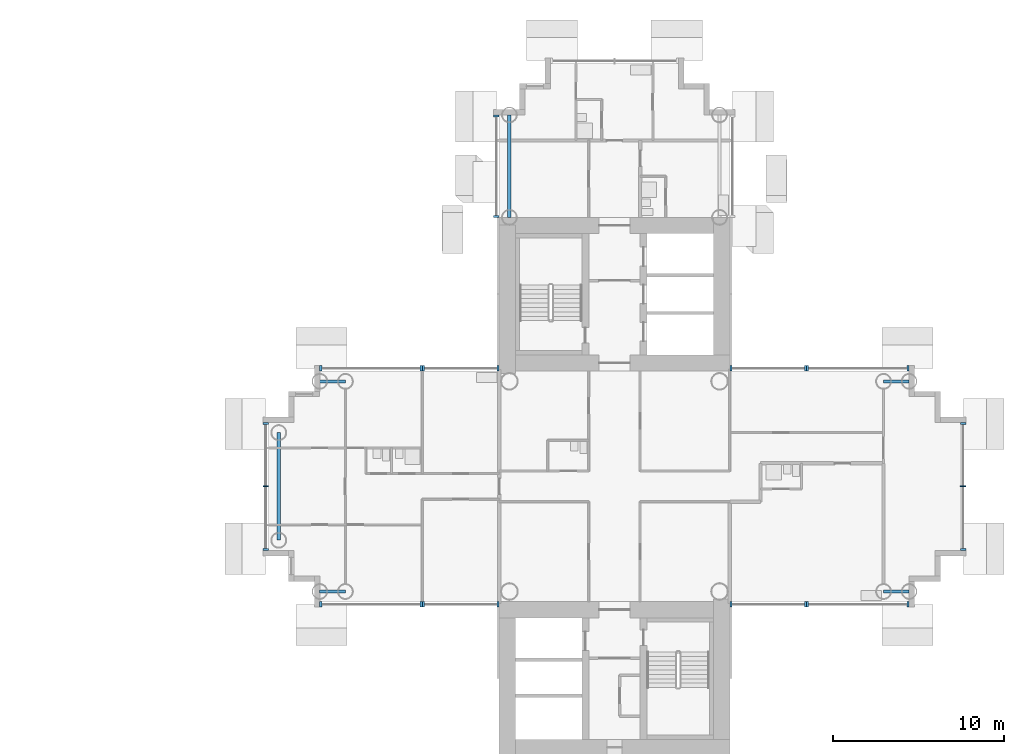
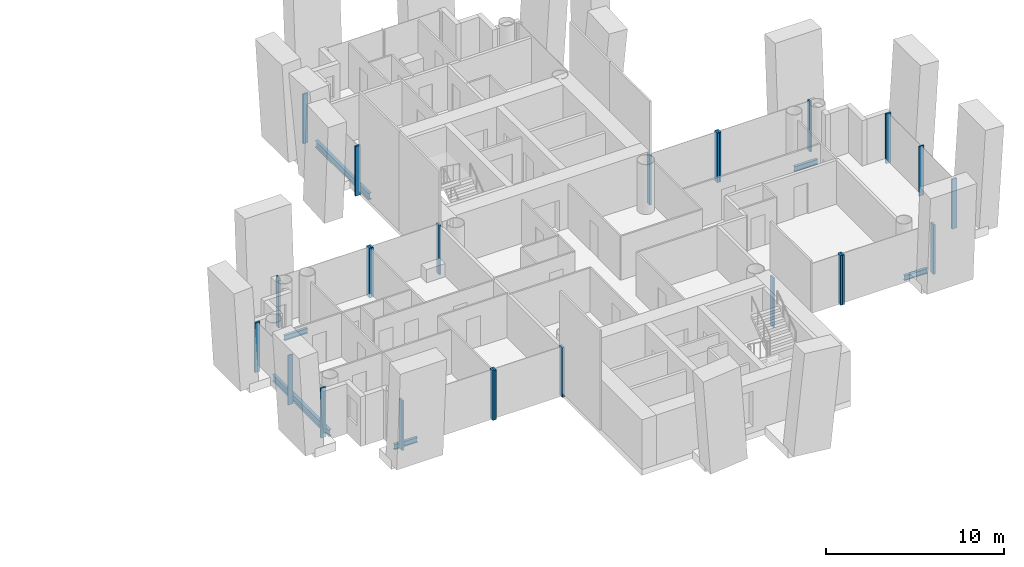
# One storey, part 5 of 21: 24 members, 6 beams, 11 elements without a shape of their own.
"""IFC4 building model written with IfcOpenShell, lengths in metres."""

from ifc_helpers import new_model, si_unit, direction, frame, origin, origin_2d, place, context, subcontext, project, spatial, rectangle, i_section, extrude, material, layer, layer_set, material_profile, profile_set, type_object, element, aggregate, save


model = new_model("IFC4")

# Units and contexts
model_context = context("Model", 3, precision=1e-05, world=origin(), true_north=direction((0.0, 1.0)))
body_context = subcontext(model_context, "Body", "Model", "MODEL_VIEW")
ifc_project = project(units=[si_unit("LENGTHUNIT", "METRE"), si_unit("AREAUNIT", "SQUARE_METRE"), si_unit("VOLUMEUNIT", "CUBIC_METRE"), si_unit("PLANEANGLEUNIT", "RADIAN"), si_unit("MASSUNIT", "GRAM", prefix="KILO")], contexts=[model_context])

# Site, building, storey
site_placement = place(None, origin())
site = spatial("IfcSite", under=ifc_project, at=site_placement, CompositionType="ELEMENT")
building_placement = place(site_placement, origin())
building = spatial("IfcBuilding", under=site, at=building_placement, Name="Ipe Terrace Towers", CompositionType="ELEMENT")
storey_placement = place(building_placement, frame((0.0, 0.0, 114.0)))
storey = spatial("IfcBuildingStorey", under=building, at=storey_placement, Name="L31", CompositionType="ELEMENT", Elevation=114.0)

# Beams
ifc_material_1 = material(Name="Steel S355", Category="steel")
ifc_material_profile_1 = material_profile(ifc_material_1, i_section(OverallWidth=0.175048828125, OverallDepth=0.35009765625, WebThickness=0.007080078125, FlangeThickness=0.010986328125, at=origin_2d()), Name="H-350x175x7x11")
ifc_profile_set_1 = profile_set([ifc_material_profile_1], Name="Steel S355")
beam_type_1 = type_object("IfcBeamType", Name="H04 EDGE BEAM H-350x175x7x11", PredefinedType="BEAM", material=ifc_profile_set_1)
for number, where, z_axis, x_axis, name in (
    (1, (20.25, 6.14990234375, -0.574951171875), (-1.0, 0.0, 0.0), (0.0, -1.0, 0.0), "Edge beam T2-EB-B03-B05"),
    (2, (20.25, -6.14990234375, -0.574951171875), (-1.0, 0.0, 0.0), (0.0, -1.0, 0.0), "Edge beam T2-EB-B04-B06"),
    (3, (51.75, -6.14990234375, -0.574951171875), (1.0, 0.0, 0.0), (0.0, 1.0, 0.0), "Edge beam T2-EB-D03-D05"),
    (4, (51.75, 6.14990234375, -0.574951171875), (1.0, 0.0, 0.0), (0.0, 1.0, 0.0), "Edge beam T2-EB-D04-D06"),
):
    element("IfcBeam", number, at=place(storey_placement, frame(where, z_axis=z_axis, x_axis=x_axis)), inside=storey, type_object=beam_type_1, Name=name, PredefinedType="BEAM", context=body_context, shape_type="SweptSolid", body=[
        extrude(i_section(OverallWidth=0.175048828125, OverallDepth=0.35009765625, WebThickness=0.007080078125, FlangeThickness=0.010986328125, at=origin_2d()), origin(), (0.0, 0.0, 1.0), 1.5),
    ])
ifc_material_2 = material(Name="Steel S355", Category="steel")
ifc_material_profile_2 = material_profile(ifc_material_2, i_section(OverallWidth=0.199951171875, OverallDepth=0.449951171875, WebThickness=0.009033203125, FlangeThickness=0.013916015625, at=origin_2d()), Name="H-450x200x9x14")
ifc_profile_set_2 = profile_set([ifc_material_profile_2], Name="Steel S355")
beam_type_2 = type_object("IfcBeamType", Name="H08 EDGE BEAM H-450x200x9x14", PredefinedType="BEAM", material=ifc_profile_set_2)
beam_1_placement = place(storey_placement, frame((29.85009765625, 15.75, -0.625), z_axis=(0.0, 1.0, 0.0), x_axis=(-1.0, 0.0, 0.0)))
element("IfcBeam", 5, at=beam_1_placement, inside=storey, type_object=beam_type_2, Name="Edge beam T2-EB-A02-A04", PredefinedType="BEAM", context=body_context, shape_type="SweptSolid", body=[
    extrude(i_section(OverallWidth=0.199951171875, OverallDepth=0.449951171875, WebThickness=0.009033203125, FlangeThickness=0.013916015625, at=origin_2d()), origin(), (0.0, 0.0, 1.0), 6.0),
])
beam_2_placement = place(storey_placement, frame((16.35009765625, 3.14990234375, -0.625), z_axis=(0.0, -1.0, 0.0), x_axis=(1.0, 0.0, 0.0)))
element("IfcBeam", 6, at=beam_2_placement, inside=storey, type_object=beam_type_2, Name="Edge beam T2-EB-B07-B08", PredefinedType="BEAM", context=body_context, shape_type="SweptSolid", body=[
    extrude(i_section(OverallWidth=0.199951171875, OverallDepth=0.449951171875, WebThickness=0.009033203125, FlangeThickness=0.013916015625, at=origin_2d()), origin(), (0.0, 0.0, 1.0), 6.2998046875),
])

# Curtain wall, members
ifc_material_3 = material(Name="Aluminium alloy 6063-T6", Category="aluminium")
ifc_layer = layer(ifc_material_3, 0.320068359375)
ifc_layer_set = layer_set([ifc_layer], Name="TOWER UNITISED CURTAIN WALL")
curtain_wall_type = type_object("IfcCurtainWallType", Name="TOWER UNITISED CURTAIN WALL", PredefinedType="NOTDEFINED", material=ifc_layer_set)
curtain_wall_1_placement = place(storey_placement, origin())
curtain_wall_1 = element("IfcCurtainWall", 7, at=curtain_wall_1_placement, inside=storey, type_object=curtain_wall_type, Name="T2-CW-L31-02a curtain wall", PredefinedType="NOTDEFINED")
ifc_material_4 = material(Name="Aluminium alloy 6063-T6", Category="aluminium")
ifc_material_profile_3 = material_profile(ifc_material_4, rectangle(XDim=0.320068359375, YDim=0.1201171875, at=origin_2d()), Name="TOWER UNITISED CORNER MULLION 320 x 120")
ifc_profile_set_3 = profile_set([ifc_material_profile_3], Name="Aluminium alloy 6063-T6")
member_type_1 = type_object("IfcMemberType", Name="TOWER UNITISED CORNER MULLION 320 x 120", PredefinedType="MULLION", material=ifc_profile_set_3)
member_1_placement = place(storey_placement, frame((42.81005859375, -6.909912109375, -0.300048828125), z_axis=(0.0, 0.0, 1.0), x_axis=(0.0, -1.0, 0.0)))
member_1 = element("IfcMember", 8, at=member_1_placement, type_object=member_type_1, Name="T2-CW-L31-02a mullion 1", PredefinedType="MULLION", context=body_context, shape_type="SweptSolid", body=[
    extrude(rectangle(XDim=0.320068359375, YDim=0.1201171875, at=origin_2d()), origin(), (0.0, 0.0, 1.0), 3.400146484375),
])
member_2_placement = place(storey_placement, frame((47.18994140625, -6.909912109375, -0.300048828125), z_axis=(0.0, 0.0, 1.0), x_axis=(0.0, -1.0, 0.0)))
member_2 = element("IfcMember", 9, at=member_2_placement, type_object=member_type_1, Name="T2-CW-L31-02a mullion 2", PredefinedType="MULLION", context=body_context, shape_type="SweptSolid", body=[
    extrude(rectangle(XDim=0.320068359375, YDim=0.1201171875, at=origin_2d()), origin(), (0.0, 0.0, 1.0), 3.400146484375),
])
aggregate(curtain_wall_1, [member_1, member_2])

curtain_wall_2_placement = place(storey_placement, origin())
curtain_wall_2 = element("IfcCurtainWall", 10, at=curtain_wall_2_placement, inside=storey, type_object=curtain_wall_type, Name="T2-CW-L31-03a curtain wall", PredefinedType="NOTDEFINED")
member_3_placement = place(storey_placement, frame((47.31005859375, -6.909912109375, -0.300048828125), z_axis=(0.0, 0.0, 1.0), x_axis=(0.0, -1.0, 0.0)))
member_3 = element("IfcMember", 11, at=member_3_placement, type_object=member_type_1, Name="T2-CW-L31-03a mullion 1", PredefinedType="MULLION", context=body_context, shape_type="SweptSolid", body=[
    extrude(rectangle(XDim=0.320068359375, YDim=0.1201171875, at=origin_2d()), origin(), (0.0, 0.0, 1.0), 3.400146484375),
])
member_4_placement = place(storey_placement, frame((53.18994140625, -6.909912109375, -0.300048828125), z_axis=(0.0, 0.0, 1.0), x_axis=(0.0, -1.0, 0.0)))
member_4 = element("IfcMember", 12, at=member_4_placement, type_object=member_type_1, Name="T2-CW-L31-03a mullion 2", PredefinedType="MULLION", context=body_context, shape_type="SweptSolid", body=[
    extrude(rectangle(XDim=0.320068359375, YDim=0.1201171875, at=origin_2d()), origin(), (0.0, 0.0, 1.0), 3.400146484375),
])
aggregate(curtain_wall_2, [member_3, member_4])

curtain_wall_3_placement = place(storey_placement, origin())
curtain_wall_3 = element("IfcCurtainWall", 13, at=curtain_wall_3_placement, inside=storey, type_object=curtain_wall_type, Name="T2-CW-L31-08a curtain wall", PredefinedType="NOTDEFINED")
member_5_placement = place(storey_placement, frame((56.409912109375, -3.68994140625, -0.300048828125), z_axis=(0.0, 0.0, 1.0), x_axis=(1.0, 0.0, 0.0)))
member_5 = element("IfcMember", 14, at=member_5_placement, type_object=member_type_1, Name="T2-CW-L31-08a mullion 1", PredefinedType="MULLION", context=body_context, shape_type="SweptSolid", body=[
    extrude(rectangle(XDim=0.320068359375, YDim=0.1201171875, at=origin_2d()), origin(), (0.0, 0.0, 1.0), 3.400146484375),
])
member_6_placement = place(storey_placement, frame((56.409912109375, 3.68994140625, -0.300048828125), z_axis=(0.0, 0.0, 1.0), x_axis=(1.0, 0.0, 0.0)))
member_6 = element("IfcMember", 15, at=member_6_placement, type_object=member_type_1, Name="T2-CW-L31-08a mullion 3", PredefinedType="MULLION", context=body_context, shape_type="SweptSolid", body=[
    extrude(rectangle(XDim=0.320068359375, YDim=0.1201171875, at=origin_2d()), origin(), (0.0, 0.0, 1.0), 3.400146484375),
])

curtain_wall_4_placement = place(storey_placement, origin())
curtain_wall_4 = element("IfcCurtainWall", 16, at=curtain_wall_4_placement, inside=storey, type_object=curtain_wall_type, Name="T2-CW-L31-13a curtain wall", PredefinedType="NOTDEFINED")
member_7_placement = place(storey_placement, frame((53.18994140625, 6.909912109375, -0.300048828125), z_axis=(0.0, 0.0, 1.0), x_axis=(0.0, 1.0, 0.0)))
member_7 = element("IfcMember", 17, at=member_7_placement, type_object=member_type_1, Name="T2-CW-L31-13a mullion 1", PredefinedType="MULLION", context=body_context, shape_type="SweptSolid", body=[
    extrude(rectangle(XDim=0.320068359375, YDim=0.1201171875, at=origin_2d()), origin(), (0.0, 0.0, 1.0), 3.400146484375),
])
member_8_placement = place(storey_placement, frame((47.31005859375, 6.909912109375, -0.300048828125), z_axis=(0.0, 0.0, 1.0), x_axis=(0.0, 1.0, 0.0)))
member_8 = element("IfcMember", 18, at=member_8_placement, type_object=member_type_1, Name="T2-CW-L31-13a mullion 2", PredefinedType="MULLION", context=body_context, shape_type="SweptSolid", body=[
    extrude(rectangle(XDim=0.320068359375, YDim=0.1201171875, at=origin_2d()), origin(), (0.0, 0.0, 1.0), 3.400146484375),
])
aggregate(curtain_wall_4, [member_7, member_8])

curtain_wall_5_placement = place(storey_placement, origin())
curtain_wall_5 = element("IfcCurtainWall", 19, at=curtain_wall_5_placement, inside=storey, type_object=curtain_wall_type, Name="T2-CW-L31-14a curtain wall", PredefinedType="NOTDEFINED")
member_9_placement = place(storey_placement, frame((47.18994140625, 6.909912109375, -0.300048828125), z_axis=(0.0, 0.0, 1.0), x_axis=(0.0, 1.0, 0.0)))
member_9 = element("IfcMember", 20, at=member_9_placement, type_object=member_type_1, Name="T2-CW-L31-14a mullion 1", PredefinedType="MULLION", context=body_context, shape_type="SweptSolid", body=[
    extrude(rectangle(XDim=0.320068359375, YDim=0.1201171875, at=origin_2d()), origin(), (0.0, 0.0, 1.0), 3.400146484375),
])
member_10_placement = place(storey_placement, frame((42.81005859375, 6.909912109375, -0.300048828125), z_axis=(0.0, 0.0, 1.0), x_axis=(0.0, 1.0, 0.0)))
member_10 = element("IfcMember", 21, at=member_10_placement, type_object=member_type_1, Name="T2-CW-L31-14a mullion 2", PredefinedType="MULLION", context=body_context, shape_type="SweptSolid", body=[
    extrude(rectangle(XDim=0.320068359375, YDim=0.1201171875, at=origin_2d()), origin(), (0.0, 0.0, 1.0), 3.400146484375),
])
aggregate(curtain_wall_5, [member_9, member_10])

curtain_wall_6_placement = place(storey_placement, origin())
curtain_wall_6 = element("IfcCurtainWall", 22, at=curtain_wall_6_placement, inside=storey, type_object=curtain_wall_type, Name="T2-CW-L31-26a curtain wall", PredefinedType="NOTDEFINED")
member_11_placement = place(storey_placement, frame((29.090087890625, 21.68994140625, -0.300048828125), z_axis=(0.0, 0.0, 1.0), x_axis=(-1.0, 0.0, 0.0)))
member_11 = element("IfcMember", 23, at=member_11_placement, type_object=member_type_1, Name="T2-CW-L31-26a mullion 1", PredefinedType="MULLION", context=body_context, shape_type="SweptSolid", body=[
    extrude(rectangle(XDim=0.320068359375, YDim=0.1201171875, at=origin_2d()), origin(), (0.0, 0.0, 1.0), 3.400146484375),
])
member_12_placement = place(storey_placement, frame((29.090087890625, 15.81103515625, -0.300048828125), z_axis=(0.0, 0.0, 1.0), x_axis=(-1.0, 0.0, 0.0)))
member_12 = element("IfcMember", 24, at=member_12_placement, type_object=member_type_1, Name="T2-CW-L31-26a mullion 2", PredefinedType="MULLION", context=body_context, shape_type="SweptSolid", body=[
    extrude(rectangle(XDim=0.320068359375, YDim=0.1201171875, at=origin_2d()), origin(), (0.0, 0.0, 1.0), 3.400146484375),
])
aggregate(curtain_wall_6, [member_11, member_12])

curtain_wall_7_placement = place(storey_placement, origin())
curtain_wall_7 = element("IfcCurtainWall", 25, at=curtain_wall_7_placement, inside=storey, type_object=curtain_wall_type, Name="T2-CW-L31-28a curtain wall", PredefinedType="NOTDEFINED")
member_13_placement = place(storey_placement, frame((29.18994140625, 6.909912109375, -0.300048828125), z_axis=(0.0, 0.0, 1.0), x_axis=(0.0, 1.0, 0.0)))
member_13 = element("IfcMember", 26, at=member_13_placement, type_object=member_type_1, Name="T2-CW-L31-28a mullion 1", PredefinedType="MULLION", context=body_context, shape_type="SweptSolid", body=[
    extrude(rectangle(XDim=0.320068359375, YDim=0.1201171875, at=origin_2d()), origin(), (0.0, 0.0, 1.0), 3.400146484375),
])
member_14_placement = place(storey_placement, frame((24.81005859375, 6.909912109375, -0.300048828125), z_axis=(0.0, 0.0, 1.0), x_axis=(0.0, 1.0, 0.0)))
member_14 = element("IfcMember", 27, at=member_14_placement, type_object=member_type_1, Name="T2-CW-L31-28a mullion 2", PredefinedType="MULLION", context=body_context, shape_type="SweptSolid", body=[
    extrude(rectangle(XDim=0.320068359375, YDim=0.1201171875, at=origin_2d()), origin(), (0.0, 0.0, 1.0), 3.400146484375),
])
aggregate(curtain_wall_7, [member_13, member_14])

curtain_wall_8_placement = place(storey_placement, origin())
curtain_wall_8 = element("IfcCurtainWall", 28, at=curtain_wall_8_placement, inside=storey, type_object=curtain_wall_type, Name="T2-CW-L31-29a curtain wall", PredefinedType="NOTDEFINED")
member_15_placement = place(storey_placement, frame((24.68994140625, 6.909912109375, -0.300048828125), z_axis=(0.0, 0.0, 1.0), x_axis=(0.0, 1.0, 0.0)))
member_15 = element("IfcMember", 29, at=member_15_placement, type_object=member_type_1, Name="T2-CW-L31-29a mullion 1", PredefinedType="MULLION", context=body_context, shape_type="SweptSolid", body=[
    extrude(rectangle(XDim=0.320068359375, YDim=0.1201171875, at=origin_2d()), origin(), (0.0, 0.0, 1.0), 3.400146484375),
])
member_16_placement = place(storey_placement, frame((18.81005859375, 6.909912109375, -0.300048828125), z_axis=(0.0, 0.0, 1.0), x_axis=(0.0, 1.0, 0.0)))
member_16 = element("IfcMember", 30, at=member_16_placement, type_object=member_type_1, Name="T2-CW-L31-29a mullion 2", PredefinedType="MULLION", context=body_context, shape_type="SweptSolid", body=[
    extrude(rectangle(XDim=0.320068359375, YDim=0.1201171875, at=origin_2d()), origin(), (0.0, 0.0, 1.0), 3.400146484375),
])
aggregate(curtain_wall_8, [member_15, member_16])

curtain_wall_9_placement = place(storey_placement, origin())
curtain_wall_9 = element("IfcCurtainWall", 31, at=curtain_wall_9_placement, inside=storey, type_object=curtain_wall_type, Name="T2-CW-L31-34a curtain wall", PredefinedType="NOTDEFINED")
member_17_placement = place(storey_placement, frame((15.590087890625, 3.68994140625, -0.300048828125), z_axis=(0.0, 0.0, 1.0), x_axis=(-1.0, 0.0, 0.0)))
member_17 = element("IfcMember", 32, at=member_17_placement, type_object=member_type_1, Name="T2-CW-L31-34a mullion 1", PredefinedType="MULLION", context=body_context, shape_type="SweptSolid", body=[
    extrude(rectangle(XDim=0.320068359375, YDim=0.1201171875, at=origin_2d()), origin(), (0.0, 0.0, 1.0), 3.400146484375),
])
member_18_placement = place(storey_placement, frame((15.590087890625, -3.68994140625, -0.300048828125), z_axis=(0.0, 0.0, 1.0), x_axis=(-1.0, 0.0, 0.0)))
member_18 = element("IfcMember", 33, at=member_18_placement, type_object=member_type_1, Name="T2-CW-L31-34a mullion 3", PredefinedType="MULLION", context=body_context, shape_type="SweptSolid", body=[
    extrude(rectangle(XDim=0.320068359375, YDim=0.1201171875, at=origin_2d()), origin(), (0.0, 0.0, 1.0), 3.400146484375),
])

curtain_wall_10_placement = place(storey_placement, origin())
curtain_wall_10 = element("IfcCurtainWall", 34, at=curtain_wall_10_placement, inside=storey, type_object=curtain_wall_type, Name="T2-CW-L31-39a curtain wall", PredefinedType="NOTDEFINED")
member_19_placement = place(storey_placement, frame((18.81005859375, -6.909912109375, -0.300048828125), z_axis=(0.0, 0.0, 1.0), x_axis=(0.0, -1.0, 0.0)))
member_19 = element("IfcMember", 35, at=member_19_placement, type_object=member_type_1, Name="T2-CW-L31-39a mullion 1", PredefinedType="MULLION", context=body_context, shape_type="SweptSolid", body=[
    extrude(rectangle(XDim=0.320068359375, YDim=0.1201171875, at=origin_2d()), origin(), (0.0, 0.0, 1.0), 3.400146484375),
])
member_20_placement = place(storey_placement, frame((24.68994140625, -6.909912109375, -0.300048828125), z_axis=(0.0, 0.0, 1.0), x_axis=(0.0, -1.0, 0.0)))
member_20 = element("IfcMember", 36, at=member_20_placement, type_object=member_type_1, Name="T2-CW-L31-39a mullion 2", PredefinedType="MULLION", context=body_context, shape_type="SweptSolid", body=[
    extrude(rectangle(XDim=0.320068359375, YDim=0.1201171875, at=origin_2d()), origin(), (0.0, 0.0, 1.0), 3.400146484375),
])
aggregate(curtain_wall_10, [member_19, member_20])

curtain_wall_11_placement = place(storey_placement, origin())
curtain_wall_11 = element("IfcCurtainWall", 37, at=curtain_wall_11_placement, inside=storey, type_object=curtain_wall_type, Name="T2-CW-L31-40a curtain wall", PredefinedType="NOTDEFINED")
member_21_placement = place(storey_placement, frame((24.81005859375, -6.909912109375, -0.300048828125), z_axis=(0.0, 0.0, 1.0), x_axis=(0.0, -1.0, 0.0)))
member_21 = element("IfcMember", 38, at=member_21_placement, type_object=member_type_1, Name="T2-CW-L31-40a mullion 1", PredefinedType="MULLION", context=body_context, shape_type="SweptSolid", body=[
    extrude(rectangle(XDim=0.320068359375, YDim=0.1201171875, at=origin_2d()), origin(), (0.0, 0.0, 1.0), 3.400146484375),
])
member_22_placement = place(storey_placement, frame((29.18994140625, -6.909912109375, -0.300048828125), z_axis=(0.0, 0.0, 1.0), x_axis=(0.0, -1.0, 0.0)))
member_22 = element("IfcMember", 39, at=member_22_placement, type_object=member_type_1, Name="T2-CW-L31-40a mullion 2", PredefinedType="MULLION", context=body_context, shape_type="SweptSolid", body=[
    extrude(rectangle(XDim=0.320068359375, YDim=0.1201171875, at=origin_2d()), origin(), (0.0, 0.0, 1.0), 3.400146484375),
])
aggregate(curtain_wall_11, [member_21, member_22])

# Member
ifc_material_5 = material(Name="Aluminium alloy 6063-T6", Category="aluminium")
ifc_material_profile_4 = material_profile(ifc_material_5, rectangle(XDim=0.320068359375, YDim=0.06494140625, at=origin_2d()), Name="TOWER UNITISED MULLION 320 x 65")
ifc_profile_set_4 = profile_set([ifc_material_profile_4], Name="Aluminium alloy 6063-T6")
member_type_2 = type_object("IfcMemberType", Name="TOWER UNITISED MULLION 320 x 65", PredefinedType="MULLION", material=ifc_profile_set_4)
member_23_placement = place(storey_placement, frame((56.409912109375, 0.0, -0.300048828125), z_axis=(0.0, 0.0, 1.0), x_axis=(1.0, 0.0, 0.0)))
member_23 = element("IfcMember", 40, at=member_23_placement, type_object=member_type_2, Name="T2-CW-L31-08a mullion 2", PredefinedType="MULLION", context=body_context, shape_type="SweptSolid", body=[
    extrude(rectangle(XDim=0.320068359375, YDim=0.06494140625, at=origin_2d()), origin(), (0.0, 0.0, 1.0), 3.400146484375),
])

aggregate(curtain_wall_3, [member_5, member_23, member_6])

member_24_placement = place(storey_placement, frame((15.590087890625, 0.0, -0.300048828125), z_axis=(0.0, 0.0, 1.0), x_axis=(-1.0, 0.0, 0.0)))
member_24 = element("IfcMember", 41, at=member_24_placement, type_object=member_type_2, Name="T2-CW-L31-34a mullion 2", PredefinedType="MULLION", context=body_context, shape_type="SweptSolid", body=[
    extrude(rectangle(XDim=0.320068359375, YDim=0.06494140625, at=origin_2d()), origin(), (0.0, 0.0, 1.0), 3.400146484375),
])

aggregate(curtain_wall_9, [member_17, member_24, member_18])

save(model, "model.ifc")
